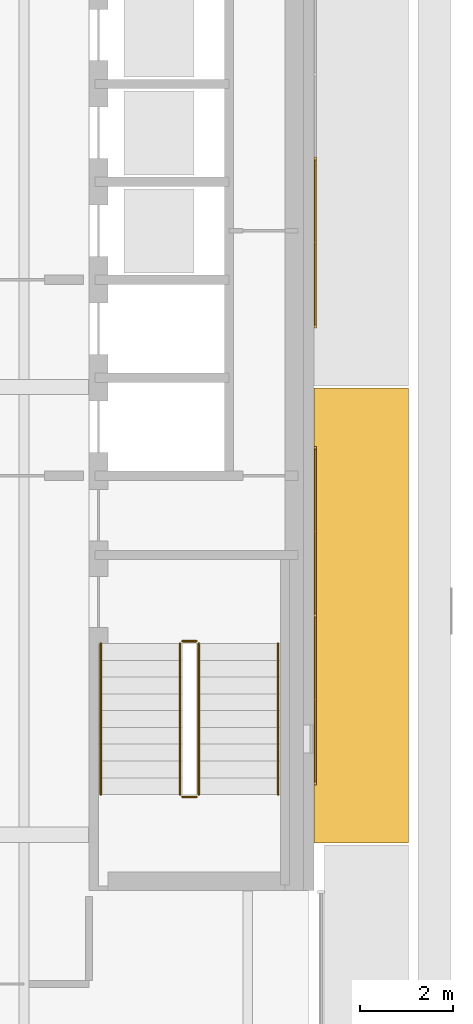
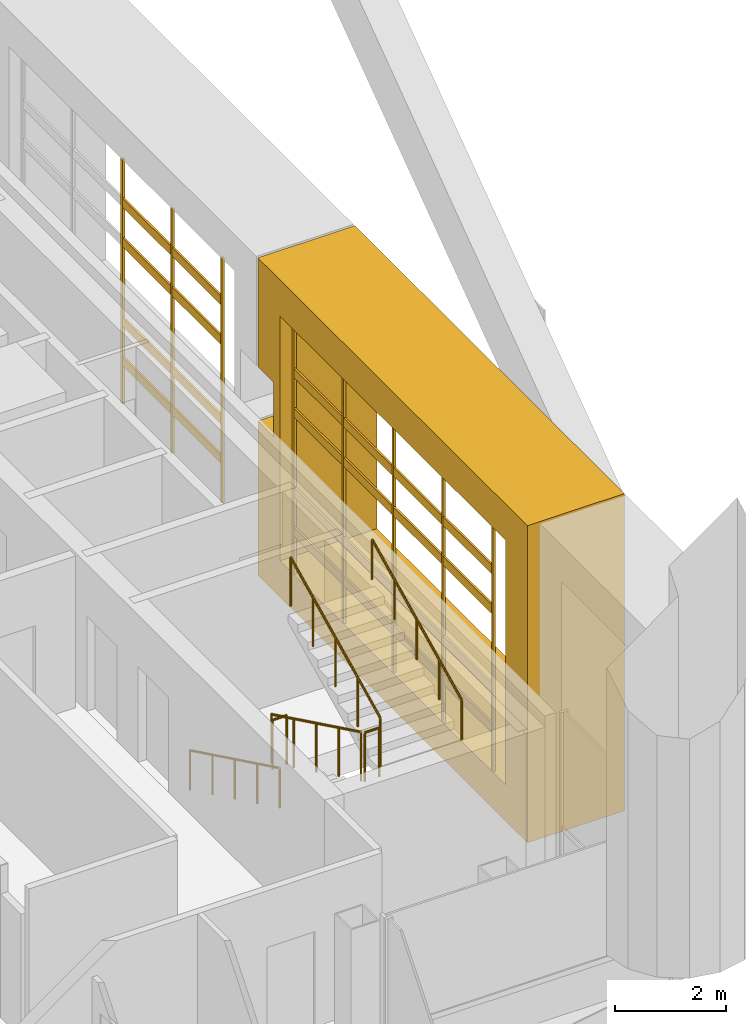
# One storey, part 23 of 29: 21 coverings, 6 railings.
"""IFC4 building model written with IfcOpenShell, lengths in metres."""

from ifc_helpers import new_model, si_unit, direction, frame, origin, origin_2d, place, context, subcontext, project, spatial, polyline, rectangle, circle, outline, extrude, material, type_object, element, save


model = new_model("IFC4")

# Units and contexts
model_context = context("Model", 3, precision=1e-05, world=origin(), true_north=direction((0.0, 1.0)))
body_context = subcontext(model_context, "Body", "Model", "MODEL_VIEW")
ifc_project = project(units=[si_unit("LENGTHUNIT", "METRE"), si_unit("AREAUNIT", "SQUARE_METRE"), si_unit("VOLUMEUNIT", "CUBIC_METRE"), si_unit("PLANEANGLEUNIT", "RADIAN"), si_unit("MASSUNIT", "GRAM", prefix="KILO")], contexts=[model_context])

# Site, building, storey
site_placement = place(None, origin())
site = spatial("IfcSite", under=ifc_project, at=site_placement, CompositionType="ELEMENT")
building_placement = place(site_placement, origin())
building = spatial("IfcBuilding", under=site, at=building_placement, Name="Cobrizo Arcos Hotel Tower", CompositionType="ELEMENT")
storey_placement = place(building_placement, frame((0.0, 0.0, 241.0)))
storey = spatial("IfcBuildingStorey", under=building, at=storey_placement, Name="L63", CompositionType="ELEMENT", Elevation=241.0)

# Coverings
ifc_material_1 = material(Name="Aluminium 6063-T6 anodised bronze", Category="aluminium")
covering_type_1 = type_object("IfcCoveringType", Name="FIN-F 2025", PredefinedType="CLADDING", material=ifc_material_1)
covering_placement = place(storey_placement, frame((20.625, -9.77490234375, 0.0), z_axis=(1.0, 0.0, 0.0), x_axis=(0.0, 1.0, 0.0)))
element("IfcCovering", 1, at=covering_placement, inside=storey, type_object=covering_type_1, Name="Fin frame 380", PredefinedType="CLADDING", context=body_context, shape_type="SweptSolid", body=[
    extrude(outline(polyline([(9.75, 0.0), (9.75, 3.39794921875), (9.173095703125, 3.39794921875), (9.173095703125, 4.60205078125), (9.75, 4.60205078125), (9.75, 7.0), (0.0, 7.0), (0.0, 0.0), (9.75, 0.0)]), holes=[polyline([(8.949951171875, 0.800048828125), (0.800048828125, 0.800048828125), (0.800048828125, 6.199951171875), (8.949951171875, 6.199951171875), (8.949951171875, 0.800048828125)])]), origin(), (0.0, 0.0, 1.0), 2.02490234375),
])
ifc_material_2 = material(Name="Aluminium 6063-T6 anodised pale", Category="aluminium")
covering_type_2 = type_object("IfcCoveringType", Name="RS-2 rainscreen rib 60x50", PredefinedType="CLADDING", material=ifc_material_2)
for number, where, z_axis, x_axis, name in (
    (2, (20.64990234375, -8.5, 0.800048828125), (0.0, 0.0, 1.0), (0.0, 1.0, 0.0), "Rainscreen rib 241"),
    (3, (20.64990234375, -6.699951171875, 0.800048828125), (0.0, 0.0, 1.0), (0.0, 1.0, 0.0), "Rainscreen rib 242"),
    (4, (20.64990234375, -4.89990234375, 0.800048828125), (0.0, 0.0, 1.0), (0.0, 1.0, 0.0), "Rainscreen rib 243"),
    (5, (20.64990234375, -3.10009765625, 0.800048828125), (0.0, 0.0, 1.0), (0.0, 1.0, 0.0), "Rainscreen rib 244"),
    (6, (20.64990234375, -1.300048828125, 0.800048828125), (0.0, 0.0, 1.0), (0.0, 1.0, 0.0), "Rainscreen rib 245"),
    (7, (20.64990234375, 1.300048828125, 0.800048828125), (0.0, 0.0, 1.0), (0.0, 1.0, 0.0), "Rainscreen rib 246"),
    (8, (20.64990234375, 3.10009765625, 0.800048828125), (0.0, 0.0, 1.0), (0.0, 1.0, 0.0), "Rainscreen rib 247"),
    (9, (20.64990234375, 4.89990234375, 0.800048828125), (0.0, 0.0, 1.0), (0.0, 1.0, 0.0), "Rainscreen rib 248"),
):
    element("IfcCovering", number, at=place(storey_placement, frame(where, z_axis=z_axis, x_axis=x_axis)), inside=storey, type_object=covering_type_2, Name=name, PredefinedType="CLADDING", context=body_context, shape_type="SweptSolid", body=[
        extrude(rectangle(XDim=0.06005859375, YDim=0.050048828125, at=origin_2d()), origin(), (0.0, 0.0, 1.0), 5.39990234375),
    ])
covering_type_3 = type_object("IfcCoveringType", Name="RS-3 rainscreen louvre slat 200x40", PredefinedType="CLADDING", material=ifc_material_2)
for number, where, z_axis, x_axis, name in (
    (10, (20.64501953125, -6.699951171875, 1.64990234375), (0.0, 0.0, 1.0), (0.0, 1.0, 0.0), "Rainscreen slat 53"),
    (11, (20.64501953125, -6.699951171875, 2.52490234375), (0.0, 0.0, 1.0), (0.0, 1.0, 0.0), "Rainscreen slat 54"),
    (12, (20.64501953125, -3.10009765625, 1.64990234375), (0.0, 0.0, 1.0), (0.0, 1.0, 0.0), "Rainscreen slat 55"),
    (13, (20.64501953125, -3.10009765625, 2.52490234375), (0.0, 0.0, 1.0), (0.0, 1.0, 0.0), "Rainscreen slat 56"),
    (14, (20.64501953125, -6.699951171875, 4.27490234375), (0.0, 0.0, 1.0), (0.0, 1.0, 0.0), "Rainscreen slat 57"),
    (15, (20.64501953125, -6.699951171875, 5.14990234375), (0.0, 0.0, 1.0), (0.0, 1.0, 0.0), "Rainscreen slat 58"),
    (16, (20.64501953125, -3.10009765625, 4.27490234375), (0.0, 0.0, 1.0), (0.0, 1.0, 0.0), "Rainscreen slat 59"),
    (17, (20.64501953125, -3.10009765625, 5.14990234375), (0.0, 0.0, 1.0), (0.0, 1.0, 0.0), "Rainscreen slat 60"),
    (18, (20.64501953125, 3.10009765625, 1.64990234375), (0.0, 0.0, 1.0), (0.0, 1.0, 0.0), "Rainscreen slat 61"),
    (19, (20.64501953125, 3.10009765625, 2.52490234375), (0.0, 0.0, 1.0), (0.0, 1.0, 0.0), "Rainscreen slat 62"),
    (20, (20.64501953125, 3.10009765625, 4.27490234375), (0.0, 0.0, 1.0), (0.0, 1.0, 0.0), "Rainscreen slat 65"),
    (21, (20.64501953125, 3.10009765625, 5.14990234375), (0.0, 0.0, 1.0), (0.0, 1.0, 0.0), "Rainscreen slat 66"),
):
    element("IfcCovering", number, at=place(storey_placement, frame(where, z_axis=z_axis, x_axis=x_axis)), inside=storey, type_object=covering_type_3, Name=name, PredefinedType="CLADDING", context=body_context, shape_type="SweptSolid", body=[
        extrude(rectangle(XDim=3.5400390625, YDim=0.0400390625, at=origin_2d()), origin(), (0.0, 0.0, 1.0), 0.199951171875),
    ])

# Railings
ifc_material_3 = material(Name="Stainless steel railing", Category="steel")
railing_type_1 = type_object("IfcRailingType", Name="Stair guard 1100", PredefinedType="GUARDRAIL", material=ifc_material_3)
railing_1_placement = place(storey_placement, frame((17.75, -5.5, 0.175048828125)))
element("IfcRailing", 22, at=railing_1_placement, inside=storey, type_object=railing_type_1, Name="L63 ST-E stair guard 1", PredefinedType="GUARDRAIL", context=body_context, shape_type="SweptSolid", body=[
    extrude(circle(Radius=0.02392578125, at=origin_2d()), frame((0.0, 0.0, 1.076171875), z_axis=(0.0, -0.899372665325, 0.437182809435), x_axis=(1.0, 0.0, 0.0)), (0.0, 0.0, 1.0), 3.6025390625),
    extrude(circle(Radius=0.02099609375, at=origin_2d()), origin(), (0.0, 0.0, 1.0), 1.052001953125),
    extrude(circle(Radius=0.02099609375, at=origin_2d()), frame((0.0, -0.81005859375, 0.393798828125)), (0.0, 0.0, 1.0), 1.052001953125),
    extrude(circle(Radius=0.02099609375, at=origin_2d()), frame((0.0, -1.6201171875, 0.78759765625)), (0.0, 0.0, 1.0), 1.052001953125),
    extrude(circle(Radius=0.02099609375, at=origin_2d()), frame((0.0, -2.429931640625, 1.18115234375)), (0.0, 0.0, 1.0), 1.052001953125),
    extrude(circle(Radius=0.02099609375, at=origin_2d()), frame((0.0, -3.239990234375, 1.574951171875)), (0.0, 0.0, 1.0), 1.052001953125),
])
railing_2_placement = place(storey_placement, frame((17.800048828125, -8.7900390625, 1.75)))
element("IfcRailing", 23, at=railing_2_placement, inside=storey, type_object=railing_type_1, Name="L63 ST-E stair guard 2", PredefinedType="GUARDRAIL", context=body_context, shape_type="SweptSolid", body=[
    extrude(circle(Radius=0.02392578125, at=origin_2d()), frame((0.0, 0.0, 1.076171875), z_axis=(1.0, 0.0, 0.0), x_axis=(0.0, 1.0, 0.0)), (0.0, 0.0, 1.0), 0.300048828125),
    extrude(circle(Radius=0.02099609375, at=origin_2d()), origin(), (0.0, 0.0, 1.0), 1.052001953125),
    extrude(circle(Radius=0.02099609375, at=origin_2d()), frame((0.300048828125, 0.0, 0.0)), (0.0, 0.0, 1.0), 1.052001953125),
])
railing_3_placement = place(storey_placement, frame((18.14990234375, -8.739990234375, 1.925048828125)))
element("IfcRailing", 24, at=railing_3_placement, inside=storey, type_object=railing_type_1, Name="L63 ST-E stair guard 3", PredefinedType="GUARDRAIL", context=body_context, shape_type="SweptSolid", body=[
    extrude(circle(Radius=0.02392578125, at=origin_2d()), frame((0.0, 0.0, 1.076171875), z_axis=(0.0, 0.899372665325, 0.437182809435), x_axis=(-1.0, 0.0, 0.0)), (0.0, 0.0, 1.0), 3.6025390625),
    extrude(circle(Radius=0.02099609375, at=origin_2d()), origin(), (0.0, 0.0, 1.0), 1.052001953125),
    extrude(circle(Radius=0.02099609375, at=origin_2d()), frame((0.0, 0.81005859375, 0.393798828125)), (0.0, 0.0, 1.0), 1.052001953125),
    extrude(circle(Radius=0.02099609375, at=origin_2d()), frame((0.0, 1.6201171875, 0.78759765625)), (0.0, 0.0, 1.0), 1.052001953125),
    extrude(circle(Radius=0.02099609375, at=origin_2d()), frame((0.0, 2.429931640625, 1.18115234375)), (0.0, 0.0, 1.0), 1.052001953125),
    extrude(circle(Radius=0.02099609375, at=origin_2d()), frame((0.0, 3.239990234375, 1.574951171875)), (0.0, 0.0, 1.0), 1.052001953125),
])
railing_4_placement = place(storey_placement, frame((17.800048828125, -5.449951171875, 0.0)))
element("IfcRailing", 25, at=railing_4_placement, inside=storey, type_object=railing_type_1, Name="L63 ST-E stair guard 4", PredefinedType="GUARDRAIL", context=body_context, shape_type="SweptSolid", body=[
    extrude(circle(Radius=0.02392578125, at=origin_2d()), frame((0.0, 0.0, 1.076171875), z_axis=(1.0, 0.0, 0.0), x_axis=(0.0, 1.0, 0.0)), (0.0, 0.0, 1.0), 0.300048828125),
    extrude(circle(Radius=0.02099609375, at=origin_2d()), origin(), (0.0, 0.0, 1.0), 1.052001953125),
    extrude(circle(Radius=0.02099609375, at=origin_2d()), frame((0.300048828125, 0.0, 0.0)), (0.0, 0.0, 1.0), 1.052001953125),
])
railing_type_2 = type_object("IfcRailingType", Name="Stair handrail", PredefinedType="HANDRAIL", material=ifc_material_3)
railing_5_placement = place(storey_placement, frame((16.050048828125, -5.5, 0.175048828125)))
element("IfcRailing", 26, at=railing_5_placement, inside=storey, type_object=railing_type_2, Name="L63 ST-E stair handrail 1", PredefinedType="HANDRAIL", context=body_context, shape_type="SweptSolid", body=[
    extrude(circle(Radius=0.02392578125, at=origin_2d()), frame((0.0, 0.0, 0.8759765625), z_axis=(0.0, -0.899372665325, 0.437182809435), x_axis=(1.0, 0.0, 0.0)), (0.0, 0.0, 1.0), 3.6025390625),
    extrude(circle(Radius=0.02099609375, at=origin_2d()), origin(), (0.0, 0.0, 1.0), 0.851806640625),
    extrude(circle(Radius=0.02099609375, at=origin_2d()), frame((0.0, -0.81005859375, 0.393798828125)), (0.0, 0.0, 1.0), 0.851806640625),
    extrude(circle(Radius=0.02099609375, at=origin_2d()), frame((0.0, -1.6201171875, 0.78759765625)), (0.0, 0.0, 1.0), 0.851806640625),
    extrude(circle(Radius=0.02099609375, at=origin_2d()), frame((0.0, -2.429931640625, 1.18115234375)), (0.0, 0.0, 1.0), 0.851806640625),
    extrude(circle(Radius=0.02099609375, at=origin_2d()), frame((0.0, -3.239990234375, 1.574951171875)), (0.0, 0.0, 1.0), 0.851806640625),
])
railing_6_placement = place(storey_placement, frame((19.85009765625, -8.739990234375, 1.925048828125)))
element("IfcRailing", 27, at=railing_6_placement, inside=storey, type_object=railing_type_2, Name="L63 ST-E stair handrail 2", PredefinedType="HANDRAIL", context=body_context, shape_type="SweptSolid", body=[
    extrude(circle(Radius=0.02392578125, at=origin_2d()), frame((0.0, 0.0, 0.8759765625), z_axis=(0.0, 0.899372665325, 0.437182809435), x_axis=(-1.0, 0.0, 0.0)), (0.0, 0.0, 1.0), 3.6025390625),
    extrude(circle(Radius=0.02099609375, at=origin_2d()), origin(), (0.0, 0.0, 1.0), 0.851806640625),
    extrude(circle(Radius=0.02099609375, at=origin_2d()), frame((0.0, 0.81005859375, 0.393798828125)), (0.0, 0.0, 1.0), 0.851806640625),
    extrude(circle(Radius=0.02099609375, at=origin_2d()), frame((0.0, 1.6201171875, 0.78759765625)), (0.0, 0.0, 1.0), 0.851806640625),
    extrude(circle(Radius=0.02099609375, at=origin_2d()), frame((0.0, 2.429931640625, 1.18115234375)), (0.0, 0.0, 1.0), 0.851806640625),
    extrude(circle(Radius=0.02099609375, at=origin_2d()), frame((0.0, 3.239990234375, 1.574951171875)), (0.0, 0.0, 1.0), 0.851806640625),
])

save(model, "model.ifc")
